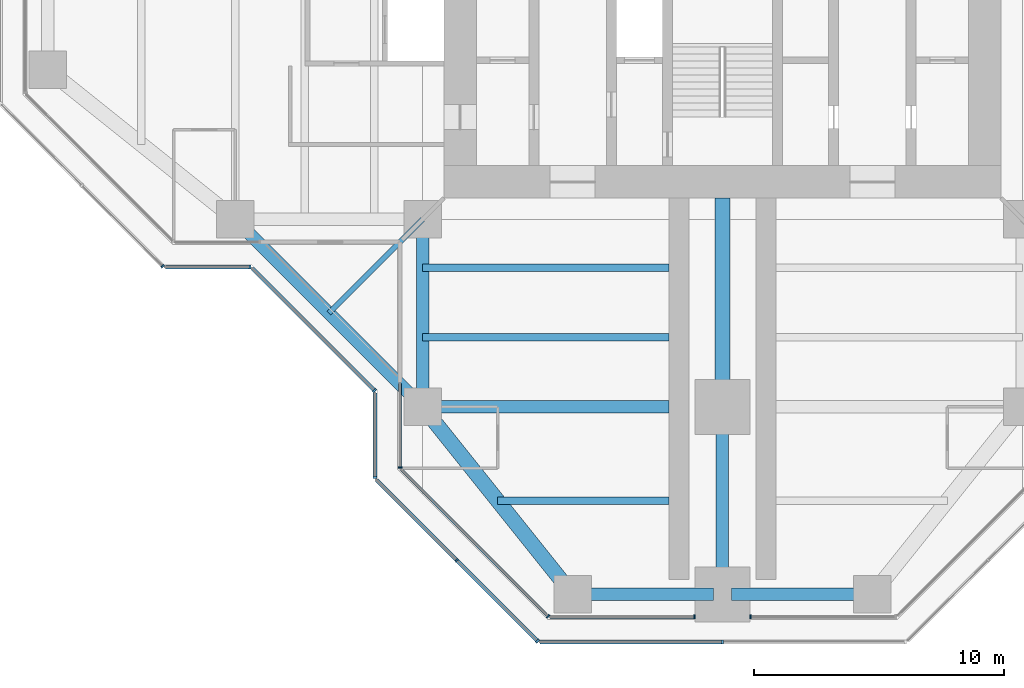
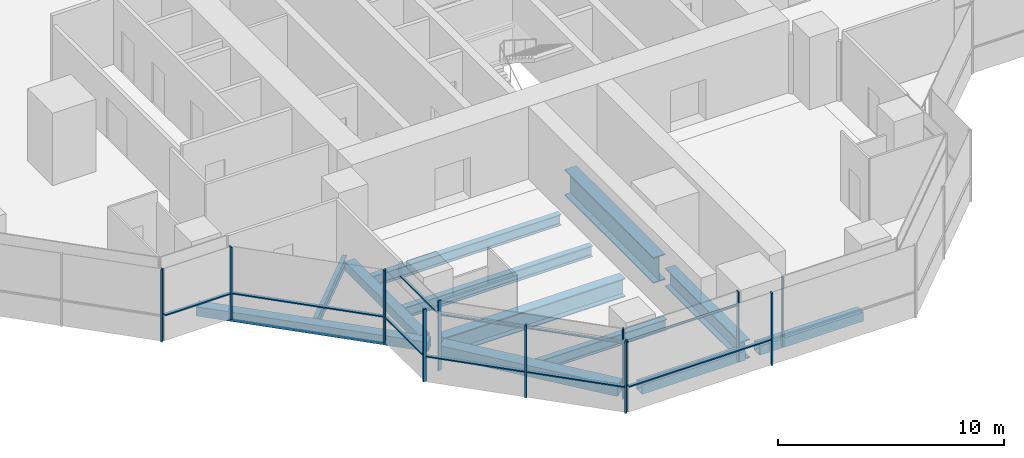
# One storey, part 2 of 17: 20 members, 12 beams, 10 elements without a shape of their own.
"""IFC4 building model written with IfcOpenShell, lengths in metres."""

from ifc_helpers import new_model, si_unit, direction, frame, origin, origin_2d, place, context, subcontext, project, spatial, rectangle, hollow_rectangle, i_section, extrude, material, material_profile, profile_set, type_object, element, aggregate, save


model = new_model("IFC4")

# Units and contexts
model_context = context("Model", 3, precision=1e-05, world=origin(), true_north=direction((0.0, 1.0)))
body_context = subcontext(model_context, "Body", "Model", "MODEL_VIEW")
ifc_project = project(units=[si_unit("LENGTHUNIT", "METRE"), si_unit("AREAUNIT", "SQUARE_METRE"), si_unit("VOLUMEUNIT", "CUBIC_METRE"), si_unit("PLANEANGLEUNIT", "RADIAN"), si_unit("MASSUNIT", "GRAM", prefix="KILO")], contexts=[model_context])

# Site, building, storey
site_placement = place(None, origin())
site = spatial("IfcSite", under=ifc_project, at=site_placement, CompositionType="ELEMENT")
building_placement = place(site_placement, origin())
building = spatial("IfcBuilding", under=site, at=building_placement, Name="Mizan Broadcast Tower", CompositionType="ELEMENT")
storey_placement = place(building_placement, frame((0.0, 0.0, 232.199951171875)))
storey = spatial("IfcBuildingStorey", under=building, at=storey_placement, Name="L54", CompositionType="ELEMENT", Elevation=232.199951171875)

# Beams
ifc_material_1 = material(Name="Steel S355", Category="steel")
ifc_material_profile_1 = material_profile(ifc_material_1, hollow_rectangle(XDim=0.5, YDim=0.5, WallThickness=0.030029296875, at=origin_2d()), Name="BOX 500x500x30")
ifc_profile_set_1 = profile_set([ifc_material_profile_1], Name="Steel S355")
beam_type_1 = type_object("IfcBeamType", Name="EDGE BEAM BOX 500x500x30", PredefinedType="SPANDREL", material=ifc_profile_set_1)
beam_1_placement = place(storey_placement, frame((-12.0, -12.449951171875, -0.3798828125), z_axis=(0.0, -1.0, 0.0), x_axis=(1.0, 0.0, 0.0)))
element("IfcBeam", 1, at=beam_1_placement, inside=storey, type_object=beam_type_1, Name="Edge beam BOX 500x500x30 L54 south arm", PredefinedType="SPANDREL", context=body_context, shape_type="SweptSolid", body=[
    extrude(hollow_rectangle(XDim=0.5, YDim=0.5, WallThickness=0.030029296875, at=origin_2d()), origin(), (0.0, 0.0, 1.0), 6.60009765625),
])
for number, where, z_axis, x_axis, name in (
    (2, (-5.639892578125, -27.0, -0.3798828125), (1.0, 0.0, 0.0), (0.0, 1.0, 0.0), "Edge beam BOX 500x500x30 L54 south arm"),
    (3, (5.639892578125, -27.0, -0.3798828125), (-1.0, 0.0, 0.0), (0.0, -1.0, 0.0), "Edge beam BOX 500x500x30 L54 south arm"),
):
    element("IfcBeam", number, at=place(storey_placement, frame(where, z_axis=z_axis, x_axis=x_axis)), inside=storey, type_object=beam_type_1, Name=name, PredefinedType="SPANDREL", context=body_context, shape_type="SweptSolid", body=[
        extrude(hollow_rectangle(XDim=0.5, YDim=0.5, WallThickness=0.030029296875, at=origin_2d()), origin(), (0.0, 0.0, 1.0), 5.27978515625),
    ])
beam_2_placement = place(storey_placement, frame((-19.5, -12.0, -0.3798828125), z_axis=(0.707106781187, -0.707106781187, 0.0), x_axis=(0.707106781187, 0.707106781187, 0.0)))
element("IfcBeam", 4, at=beam_2_placement, inside=storey, type_object=beam_type_1, Name="Winter garden edge beam L54 W", PredefinedType="SPANDREL", context=body_context, shape_type="SweptSolid", body=[
    extrude(hollow_rectangle(XDim=0.5, YDim=0.5, WallThickness=0.030029296875, at=origin_2d()), origin(), (0.0, 0.0, 1.0), 10.606689453125),
])
ifc_material_2 = material(Name="Steel S355", Category="steel")
ifc_material_profile_2 = material_profile(ifc_material_2, hollow_rectangle(XDim=0.60009765625, YDim=0.60009765625, WallThickness=0.030029296875, at=origin_2d()), Name="BOX 600x600x30")
ifc_profile_set_2 = profile_set([ifc_material_profile_2], Name="Steel S355")
beam_type_2 = type_object("IfcBeamType", Name="EDGE BEAM BOX 600x600x30", PredefinedType="SPANDREL", material=ifc_profile_set_2)
beam_3_placement = place(storey_placement, frame((-11.639892578125, -19.949951171875, -0.429931640625), z_axis=(0.624673911726, -0.780885717636, 0.0), x_axis=(0.780885717636, 0.624673911726, 0.0)))
element("IfcBeam", 5, at=beam_3_placement, inside=storey, type_object=beam_type_2, Name="Edge beam BOX 600x600x30 L54 south arm", PredefinedType="SPANDREL", context=body_context, shape_type="SweptSolid", body=[
    extrude(hollow_rectangle(XDim=0.60009765625, YDim=0.60009765625, WallThickness=0.030029296875, at=origin_2d()), origin(), (0.0, 0.0, 1.0), 8.4521484375),
])
ifc_material_3 = material(Name="Steel S460", Category="steel")
ifc_material_profile_3 = material_profile(ifc_material_3, i_section(OverallWidth=0.5, OverallDepth=1.0, WebThickness=0.02490234375, FlangeThickness=0.050048828125, at=origin_2d()), Name="WPG 1000x500")
ifc_profile_set_3 = profile_set([ifc_material_profile_3], Name="Steel S460")
beam_type_3 = type_object("IfcBeamType", Name="GIRDER WPG 1000x500", PredefinedType="BEAM", material=ifc_profile_set_3)
beam_4_placement = place(storey_placement, frame((0.0, -19.949951171875, -0.6298828125), z_axis=(0.0, -1.0, 0.0), x_axis=(1.0, 0.0, 0.0)))
element("IfcBeam", 6, at=beam_4_placement, inside=storey, type_object=beam_type_3, Name="Girder WPG 1000x500 L54 south arm", PredefinedType="BEAM", context=body_context, shape_type="SweptSolid", body=[
    extrude(i_section(OverallWidth=0.5, OverallDepth=1.0, WebThickness=0.02490234375, FlangeThickness=0.050048828125, at=origin_2d()), origin(), (0.0, 0.0, 1.0), 6.60009765625),
])
beam_5_placement = place(storey_placement, frame((-11.408935546875, -19.5, -0.6298828125), z_axis=(1.0, 0.0, 0.0), x_axis=(0.0, 1.0, 0.0)))
element("IfcBeam", 7, at=beam_5_placement, inside=storey, type_object=beam_type_3, Name="Girder WPG 1000x500 L54 south arm", PredefinedType="BEAM", context=body_context, shape_type="SweptSolid", body=[
    extrude(i_section(OverallWidth=0.5, OverallDepth=1.0, WebThickness=0.02490234375, FlangeThickness=0.050048828125, at=origin_2d()), origin(), (0.0, 0.0, 1.0), 9.259033203125),
])
ifc_material_4 = material(Name="Steel S460", Category="steel")
ifc_material_profile_4 = material_profile(ifc_material_4, i_section(OverallWidth=0.60009765625, OverallDepth=1.39990234375, WebThickness=0.02490234375, FlangeThickness=0.06005859375, at=origin_2d()), Name="WPG 1400x600")
ifc_profile_set_4 = profile_set([ifc_material_profile_4], Name="Steel S460")
beam_type_4 = type_object("IfcBeamType", Name="GIRDER WPG 1400x600", PredefinedType="BEAM", material=ifc_profile_set_4)
beam_6_placement = place(storey_placement, frame((0.0, -11.14990234375, -0.829833984375), z_axis=(0.0, -1.0, 0.0), x_axis=(1.0, 0.0, 0.0)))
element("IfcBeam", 8, at=beam_6_placement, inside=storey, type_object=beam_type_4, Name="Girder WPG 1400x600 L54 south arm", PredefinedType="BEAM", context=body_context, shape_type="SweptSolid", body=[
    extrude(i_section(OverallWidth=0.60009765625, OverallDepth=1.39990234375, WebThickness=0.02490234375, FlangeThickness=0.06005859375, at=origin_2d()), origin(), (0.0, 0.0, 1.0), 7.84912109375),
])

# Curtain wall, member
ifc_material_5 = material(Name="Aluminium framed glazing", Category="aluminium")
curtain_wall_type_1 = type_object("IfcCurtainWallType", Name="INNER SKIN HIGH ZONE", PredefinedType="USERDEFINED", material=ifc_material_5)
curtain_wall_1_placement = place(storey_placement, origin())
curtain_wall_1 = element("IfcCurtainWall", 9, at=curtain_wall_1_placement, inside=storey, type_object=curtain_wall_type_1, Name="Inner skin high zone L54 S side", ObjectType="INNER SKIN HIGH ZONE", PredefinedType="USERDEFINED")
ifc_material_6 = material(Name="Aluminium, pale anodised", Category="aluminium")
ifc_material_profile_5 = material_profile(ifc_material_6, rectangle(XDim=0.159912109375, YDim=0.06005859375, at=origin_2d()), Name="MULLION 160x60")
ifc_profile_set_5 = profile_set([ifc_material_profile_5], Name="Aluminium, pale anodised")
member_type_1 = type_object("IfcMemberType", Name="INNER SKIN MULLION 60x160", PredefinedType="MULLION", material=ifc_profile_set_5)
member_1_placement = place(storey_placement, frame((-12.89990234375, -21.928466796875, 0.0), z_axis=(0.0, 0.0, 1.0), x_axis=(1.0, 0.0, 0.0)))
member_1 = element("IfcMember", 10, at=member_1_placement, type_object=member_type_1, Name="Inner skin high zone L54 S side mullion 2", PredefinedType="MULLION", context=body_context, shape_type="SweptSolid", body=[
    extrude(rectangle(XDim=0.159912109375, YDim=0.06005859375, at=origin_2d()), origin(), (0.0, 0.0, 1.0), 3.77001953125),
])

curtain_wall_2_placement = place(storey_placement, origin())
curtain_wall_2 = element("IfcCurtainWall", 11, at=curtain_wall_2_placement, inside=storey, type_object=curtain_wall_type_1, Name="Inner skin high zone L54 S chamfer", ObjectType="INNER SKIN HIGH ZONE", PredefinedType="USERDEFINED")
member_2_placement = place(storey_placement, frame((-6.979736328125, -27.87890625, 0.0), z_axis=(0.0, 0.0, 1.0), x_axis=(0.707106781187, 0.707106781187, 0.0)))
member_2 = element("IfcMember", 12, at=member_2_placement, type_object=member_type_1, Name="Inner skin high zone L54 S chamfer mullion 2", PredefinedType="MULLION", context=body_context, shape_type="SweptSolid", body=[
    extrude(rectangle(XDim=0.159912109375, YDim=0.06005859375, at=origin_2d()), origin(), (0.0, 0.0, 1.0), 3.77001953125),
])

curtain_wall_3_placement = place(storey_placement, origin())
curtain_wall_3 = element("IfcCurtainWall", 13, at=curtain_wall_3_placement, inside=storey, type_object=curtain_wall_type_1, Name="Inner skin high zone L54 S end", ObjectType="INNER SKIN HIGH ZONE", PredefinedType="USERDEFINED")
member_3_placement = place(storey_placement, frame((-1.1298828125, -27.89990234375, 0.0), z_axis=(0.0, 0.0, 1.0), x_axis=(0.0, 1.0, 0.0)))
member_3 = element("IfcMember", 14, at=member_3_placement, type_object=member_type_1, Name="Inner skin high zone L54 S end mullion 2", PredefinedType="MULLION", context=body_context, shape_type="SweptSolid", body=[
    extrude(rectangle(XDim=0.159912109375, YDim=0.06005859375, at=origin_2d()), origin(), (0.0, 0.0, 1.0), 3.77001953125),
])

curtain_wall_4_placement = place(storey_placement, origin())
curtain_wall_4 = element("IfcCurtainWall", 15, at=curtain_wall_4_placement, inside=storey, type_object=curtain_wall_type_1, Name="Inner skin high zone L54 S end", ObjectType="INNER SKIN HIGH ZONE", PredefinedType="USERDEFINED")
member_4_placement = place(storey_placement, frame((1.1298828125, -27.89990234375, 0.0), z_axis=(0.0, 0.0, 1.0), x_axis=(0.0, 1.0, 0.0)))
member_4 = element("IfcMember", 16, at=member_4_placement, type_object=member_type_1, Name="Inner skin high zone L54 S end mullion 1", PredefinedType="MULLION", context=body_context, shape_type="SweptSolid", body=[
    extrude(rectangle(XDim=0.159912109375, YDim=0.06005859375, at=origin_2d()), origin(), (0.0, 0.0, 1.0), 3.77001953125),
])
aggregate(curtain_wall_4, [member_4])

# Member
ifc_material_7 = material(Name="Aluminium, pale anodised", Category="aluminium")
ifc_material_profile_6 = material_profile(ifc_material_7, rectangle(XDim=0.1201171875, YDim=0.06005859375, at=origin_2d()), Name="TRANSOM 120x60")
ifc_profile_set_6 = profile_set([ifc_material_profile_6], Name="Aluminium, pale anodised")
member_type_2 = type_object("IfcMemberType", Name="INNER SKIN TRANSOM 60x120", PredefinedType="USERDEFINED", material=ifc_profile_set_6)
member_5_placement = place(storey_placement, frame((-12.89990234375, -18.56005859375, 3.030029296875), z_axis=(0.0, -1.0, 0.0), x_axis=(1.0, 0.0, 0.0)))
member_5 = element("IfcMember", 17, at=member_5_placement, type_object=member_type_2, Name="Inner skin high zone L54 S side transom 1.1", ObjectType="TRANSOM", PredefinedType="USERDEFINED", context=body_context, shape_type="SweptSolid", body=[
    extrude(rectangle(XDim=0.1201171875, YDim=0.06005859375, at=origin_2d()), origin(), (0.0, 0.0, 1.0), 3.338623046875),
])

aggregate(curtain_wall_1, [member_1, member_5])

member_6_placement = place(storey_placement, frame((-12.857666015625, -22.0009765625, 3.030029296875), z_axis=(0.707106781187, -0.707106781187, 0.0), x_axis=(0.707106781187, 0.707106781187, 0.0)))
member_6 = element("IfcMember", 18, at=member_6_placement, type_object=member_type_2, Name="Inner skin high zone L54 S chamfer transom 1.1", ObjectType="TRANSOM", PredefinedType="USERDEFINED", context=body_context, shape_type="SweptSolid", body=[
    extrude(rectangle(XDim=0.1201171875, YDim=0.06005859375, at=origin_2d()), origin(), (0.0, 0.0, 1.0), 8.28271484375),
])

aggregate(curtain_wall_2, [member_2, member_6])

member_7_placement = place(storey_placement, frame((-6.898681640625, -27.89990234375, 3.030029296875), z_axis=(1.0, 0.0, 0.0), x_axis=(0.0, 1.0, 0.0)))
member_7 = element("IfcMember", 19, at=member_7_placement, type_object=member_type_2, Name="Inner skin high zone L54 S end transom 1.1", ObjectType="TRANSOM", PredefinedType="USERDEFINED", context=body_context, shape_type="SweptSolid", body=[
    extrude(rectangle(XDim=0.1201171875, YDim=0.06005859375, at=origin_2d()), origin(), (0.0, 0.0, 1.0), 5.73876953125),
])

aggregate(curtain_wall_3, [member_3, member_7])

# Curtain wall, member
ifc_material_8 = material(Name="Aluminium framed glazing", Category="aluminium")
curtain_wall_type_2 = type_object("IfcCurtainWallType", Name="OUTER SKIN", PredefinedType="USERDEFINED", material=ifc_material_8)
curtain_wall_5_placement = place(storey_placement, origin())
curtain_wall_5 = element("IfcCurtainWall", 20, at=curtain_wall_5_placement, inside=storey, type_object=curtain_wall_type_2, Name="Outer skin L54 W chamfer", ObjectType="OUTER SKIN", PredefinedType="USERDEFINED")
ifc_material_9 = material(Name="Aluminium, pale anodised", Category="aluminium")
ifc_material_profile_7 = material_profile(ifc_material_9, rectangle(XDim=0.159912109375, YDim=0.080078125, at=origin_2d()), Name="MULLION 160x80")
ifc_profile_set_7 = profile_set([ifc_material_profile_7], Name="Aluminium, pale anodised")
member_type_3 = type_object("IfcMemberType", Name="OUTER SKIN MULLION 80x160", PredefinedType="MULLION", material=ifc_profile_set_7)
member_8_placement = place(storey_placement, frame((-22.401123046875, -13.871826171875, 0.0), z_axis=(0.0, 0.0, 1.0), x_axis=(0.707106781187, 0.707106781187, 0.0)))
member_8 = element("IfcMember", 21, at=member_8_placement, type_object=member_type_3, Name="Outer skin L54 W chamfer mullion 3", PredefinedType="MULLION", context=body_context, shape_type="SweptSolid", body=[
    extrude(rectangle(XDim=0.159912109375, YDim=0.080078125, at=origin_2d()), origin(), (0.0, 0.0, 1.0), 3.900146484375),
])
aggregate(curtain_wall_5, [member_8])

curtain_wall_6_placement = place(storey_placement, origin())
curtain_wall_6 = element("IfcCurtainWall", 22, at=curtain_wall_6_placement, inside=storey, type_object=curtain_wall_type_2, Name="Outer skin L54 W side", ObjectType="OUTER SKIN", PredefinedType="USERDEFINED")
member_9_placement = place(storey_placement, frame((-18.912841796875, -13.89990234375, 0.0), z_axis=(0.0, 0.0, 1.0), x_axis=(0.0, 1.0, 0.0)))
member_9 = element("IfcMember", 23, at=member_9_placement, type_object=member_type_3, Name="Outer skin L54 W side mullion 2", PredefinedType="MULLION", context=body_context, shape_type="SweptSolid", body=[
    extrude(rectangle(XDim=0.159912109375, YDim=0.080078125, at=origin_2d()), origin(), (0.0, 0.0, 1.0), 3.900146484375),
])

curtain_wall_7_placement = place(storey_placement, origin())
curtain_wall_7 = element("IfcCurtainWall", 24, at=curtain_wall_7_placement, inside=storey, type_object=curtain_wall_type_2, Name="Outer skin L54 W chamfer", ObjectType="OUTER SKIN", PredefinedType="USERDEFINED")
member_10_placement = place(storey_placement, frame((-13.92822265625, -18.844482421875, 0.0), z_axis=(0.0, 0.0, 1.0), x_axis=(0.707106781187, 0.707106781187, 0.0)))
member_10 = element("IfcMember", 25, at=member_10_placement, type_object=member_type_3, Name="Outer skin L54 W chamfer mullion 2", PredefinedType="MULLION", context=body_context, shape_type="SweptSolid", body=[
    extrude(rectangle(XDim=0.159912109375, YDim=0.080078125, at=origin_2d()), origin(), (0.0, 0.0, 1.0), 3.900146484375),
])

curtain_wall_8_placement = place(storey_placement, origin())
curtain_wall_8 = element("IfcCurtainWall", 26, at=curtain_wall_8_placement, inside=storey, type_object=curtain_wall_type_2, Name="Outer skin L54 S side", ObjectType="OUTER SKIN", PredefinedType="USERDEFINED")
member_11_placement = place(storey_placement, frame((-13.89990234375, -22.332763671875, 0.0), z_axis=(0.0, 0.0, 1.0), x_axis=(1.0, 0.0, 0.0)))
member_11 = element("IfcMember", 27, at=member_11_placement, type_object=member_type_3, Name="Outer skin L54 S side mullion 2", PredefinedType="MULLION", context=body_context, shape_type="SweptSolid", body=[
    extrude(rectangle(XDim=0.159912109375, YDim=0.080078125, at=origin_2d()), origin(), (0.0, 0.0, 1.0), 3.900146484375),
])

# Curtain wall, members
curtain_wall_9_placement = place(storey_placement, origin())
curtain_wall_9 = element("IfcCurtainWall", 28, at=curtain_wall_9_placement, inside=storey, type_object=curtain_wall_type_2, Name="Outer skin L54 S chamfer", ObjectType="OUTER SKIN", PredefinedType="USERDEFINED")
member_12_placement = place(storey_placement, frame((-10.636474609375, -25.636474609375, 0.0), z_axis=(0.0, 0.0, 1.0), x_axis=(0.707106781187, 0.707106781187, 0.0)))
member_12 = element("IfcMember", 29, at=member_12_placement, type_object=member_type_3, Name="Outer skin L54 S chamfer mullion 2", PredefinedType="MULLION", context=body_context, shape_type="SweptSolid", body=[
    extrude(rectangle(XDim=0.159912109375, YDim=0.080078125, at=origin_2d()), origin(), (0.0, 0.0, 1.0), 3.900146484375),
])
member_13_placement = place(storey_placement, frame((-7.401123046875, -28.871826171875, 0.0), z_axis=(0.0, 0.0, 1.0), x_axis=(0.707106781187, 0.707106781187, 0.0)))
member_13 = element("IfcMember", 30, at=member_13_placement, type_object=member_type_3, Name="Outer skin L54 S chamfer mullion 3", PredefinedType="MULLION", context=body_context, shape_type="SweptSolid", body=[
    extrude(rectangle(XDim=0.159912109375, YDim=0.080078125, at=origin_2d()), origin(), (0.0, 0.0, 1.0), 3.900146484375),
])

# Curtain wall, member
curtain_wall_10_placement = place(storey_placement, origin())
curtain_wall_10 = element("IfcCurtainWall", 31, at=curtain_wall_10_placement, inside=storey, type_object=curtain_wall_type_2, Name="Outer skin L54 S end", ObjectType="OUTER SKIN", PredefinedType="USERDEFINED")
member_14_placement = place(storey_placement, frame((0.0, -28.89990234375, 0.0), z_axis=(0.0, 0.0, 1.0), x_axis=(0.0, 1.0, 0.0)))
member_14 = element("IfcMember", 32, at=member_14_placement, type_object=member_type_3, Name="Outer skin L54 S end mullion 2", PredefinedType="MULLION", context=body_context, shape_type="SweptSolid", body=[
    extrude(rectangle(XDim=0.159912109375, YDim=0.080078125, at=origin_2d()), origin(), (0.0, 0.0, 1.0), 3.900146484375),
])

# Member
ifc_material_10 = material(Name="Aluminium, pale anodised", Category="aluminium")
ifc_material_profile_8 = material_profile(ifc_material_10, rectangle(XDim=0.159912109375, YDim=0.06005859375, at=origin_2d()), Name="TRANSOM 160x60")
ifc_profile_set_8 = profile_set([ifc_material_profile_8], Name="Aluminium, pale anodised")
member_type_4 = type_object("IfcMemberType", Name="OUTER SKIN TRANSOM 60x160", PredefinedType="USERDEFINED", material=ifc_profile_set_8)
member_15_placement = place(storey_placement, frame((-22.292724609375, -13.89990234375, 1.400146484375), z_axis=(1.0, 0.0, 0.0), x_axis=(0.0, 1.0, 0.0)))
member_15 = element("IfcMember", 33, at=member_15_placement, type_object=member_type_4, Name="Outer skin L54 W side transom 1.1", ObjectType="TRANSOM", PredefinedType="USERDEFINED", context=body_context, shape_type="SweptSolid", body=[
    extrude(rectangle(XDim=0.159912109375, YDim=0.06005859375, at=origin_2d()), origin(), (0.0, 0.0, 1.0), 3.33984375),
])

aggregate(curtain_wall_6, [member_9, member_15])

member_16_placement = place(storey_placement, frame((-18.816162109375, -13.95654296875, 1.400146484375), z_axis=(0.707106781187, -0.707106781187, 0.0), x_axis=(0.707106781187, 0.707106781187, 0.0)))
member_16 = element("IfcMember", 34, at=member_16_placement, type_object=member_type_4, Name="Outer skin L54 W chamfer transom 1.1", ObjectType="TRANSOM", PredefinedType="USERDEFINED", context=body_context, shape_type="SweptSolid", body=[
    extrude(rectangle(XDim=0.159912109375, YDim=0.06005859375, at=origin_2d()), origin(), (0.0, 0.0, 1.0), 6.87255859375),
])

aggregate(curtain_wall_7, [member_10, member_16])

member_17_placement = place(storey_placement, frame((-13.89990234375, -18.952880859375, 1.400146484375), z_axis=(0.0, -1.0, 0.0), x_axis=(1.0, 0.0, 0.0)))
member_17 = element("IfcMember", 35, at=member_17_placement, type_object=member_type_4, Name="Outer skin L54 S side transom 1.1", ObjectType="TRANSOM", PredefinedType="USERDEFINED", context=body_context, shape_type="SweptSolid", body=[
    extrude(rectangle(XDim=0.159912109375, YDim=0.06005859375, at=origin_2d()), origin(), (0.0, 0.0, 1.0), 3.33984375),
])

aggregate(curtain_wall_8, [member_11, member_17])

member_18_placement = place(storey_placement, frame((-13.843505859375, -22.429443359375, 1.400146484375), z_axis=(0.707106781187, -0.707106781187, 0.0), x_axis=(0.707106781187, 0.707106781187, 0.0)))
member_18 = element("IfcMember", 36, at=member_18_placement, type_object=member_type_4, Name="Outer skin L54 S chamfer transom 1.1", ObjectType="TRANSOM", PredefinedType="USERDEFINED", context=body_context, shape_type="SweptSolid", body=[
    extrude(rectangle(XDim=0.159912109375, YDim=0.06005859375, at=origin_2d()), origin(), (0.0, 0.0, 1.0), 4.495361328125),
])

member_19_placement = place(storey_placement, frame((-10.608154296875, -25.664794921875, 1.400146484375), z_axis=(0.707106781187, -0.707106781187, 0.0), x_axis=(0.707106781187, 0.707106781187, 0.0)))
member_19 = element("IfcMember", 37, at=member_19_placement, type_object=member_type_4, Name="Outer skin L54 S chamfer transom 2.1", ObjectType="TRANSOM", PredefinedType="USERDEFINED", context=body_context, shape_type="SweptSolid", body=[
    extrude(rectangle(XDim=0.159912109375, YDim=0.06005859375, at=origin_2d()), origin(), (0.0, 0.0, 1.0), 4.495361328125),
])

aggregate(curtain_wall_9, [member_12, member_13, member_18, member_19])

member_20_placement = place(storey_placement, frame((-7.292724609375, -28.89990234375, 1.400146484375), z_axis=(1.0, 0.0, 0.0), x_axis=(0.0, 1.0, 0.0)))
member_20 = element("IfcMember", 38, at=member_20_placement, type_object=member_type_4, Name="Outer skin L54 S end transom 1.1", ObjectType="TRANSOM", PredefinedType="USERDEFINED", context=body_context, shape_type="SweptSolid", body=[
    extrude(rectangle(XDim=0.159912109375, YDim=0.06005859375, at=origin_2d()), origin(), (0.0, 0.0, 1.0), 7.252685546875),
])

aggregate(curtain_wall_10, [member_14, member_20])

# Beams
ifc_material_11 = material(Name="Steel S355", Category="steel")
ifc_material_profile_9 = material_profile(ifc_material_11, i_section(OverallWidth=0.300048828125, OverallDepth=0.590087890625, WebThickness=0.012939453125, FlangeThickness=0.02490234375, FilletRadius=0.027099609375, at=origin_2d()), Name="HEA 600")
ifc_profile_set_9 = profile_set([ifc_material_profile_9], Name="Steel S355")
beam_type_5 = type_object("IfcBeamType", Name="SECONDARY BEAM HEA 600", PredefinedType="JOIST", material=ifc_profile_set_9)
for number, where, z_axis, x_axis, name in (
    (39, (-12.0, -13.933349609375, -0.425048828125), (1.0, 0.0, 0.0), (0.0, 1.0, 0.0), "Secondary beam HEA 600 L54 south arm"),
    (40, (-12.0, -16.716552734375, -0.425048828125), (1.0, 0.0, 0.0), (0.0, 1.0, 0.0), "Secondary beam HEA 600 L54 south arm"),
):
    element("IfcBeam", number, at=place(storey_placement, frame(where, z_axis=z_axis, x_axis=x_axis)), inside=storey, type_object=beam_type_5, Name=name, PredefinedType="JOIST", context=body_context, shape_type="SweptSolid", body=[
        extrude(i_section(OverallWidth=0.300048828125, OverallDepth=0.590087890625, WebThickness=0.012939453125, FlangeThickness=0.02490234375, FilletRadius=0.027099609375, at=origin_2d()), origin(), (0.0, 0.0, 1.0), 9.85009765625),
    ])
beam_7_placement = place(storey_placement, frame((-9.0, -23.25, -0.425048828125), z_axis=(1.0, 0.0, 0.0), x_axis=(0.0, 1.0, 0.0)))
element("IfcBeam", 41, at=beam_7_placement, inside=storey, type_object=beam_type_5, Name="Secondary beam HEA 600 L54 south arm", PredefinedType="JOIST", context=body_context, shape_type="SweptSolid", body=[
    extrude(i_section(OverallWidth=0.300048828125, OverallDepth=0.590087890625, WebThickness=0.012939453125, FlangeThickness=0.02490234375, FilletRadius=0.027099609375, at=origin_2d()), origin(), (0.0, 0.0, 1.0), 6.85009765625),
])
ifc_material_12 = material(Name="Steel S355", Category="steel")
ifc_material_profile_10 = material_profile(ifc_material_12, i_section(OverallWidth=0.2099609375, OverallDepth=0.550048828125, WebThickness=0.010986328125, FlangeThickness=0.01708984375, FilletRadius=0.02392578125, at=origin_2d()), Name="IPE 550")
ifc_profile_set_10 = profile_set([ifc_material_profile_10], Name="Steel S355")
beam_type_6 = type_object("IfcBeamType", Name="SECONDARY BEAM IPE 550", PredefinedType="JOIST", material=ifc_profile_set_10)
beam_8_placement = place(storey_placement, frame((-12.0, -12.0, -0.405029296875), z_axis=(-0.707106781187, -0.707106781187, 0.0), x_axis=(0.707106781187, -0.707106781187, 0.0)))
element("IfcBeam", 42, at=beam_8_placement, inside=storey, type_object=beam_type_6, Name="Winter garden beam L54 W", PredefinedType="JOIST", context=body_context, shape_type="SweptSolid", body=[
    extrude(i_section(OverallWidth=0.2099609375, OverallDepth=0.550048828125, WebThickness=0.010986328125, FlangeThickness=0.01708984375, FilletRadius=0.02392578125, at=origin_2d()), origin(), (0.0, 0.0, 1.0), 5.30322265625),
])

save(model, "model.ifc")
